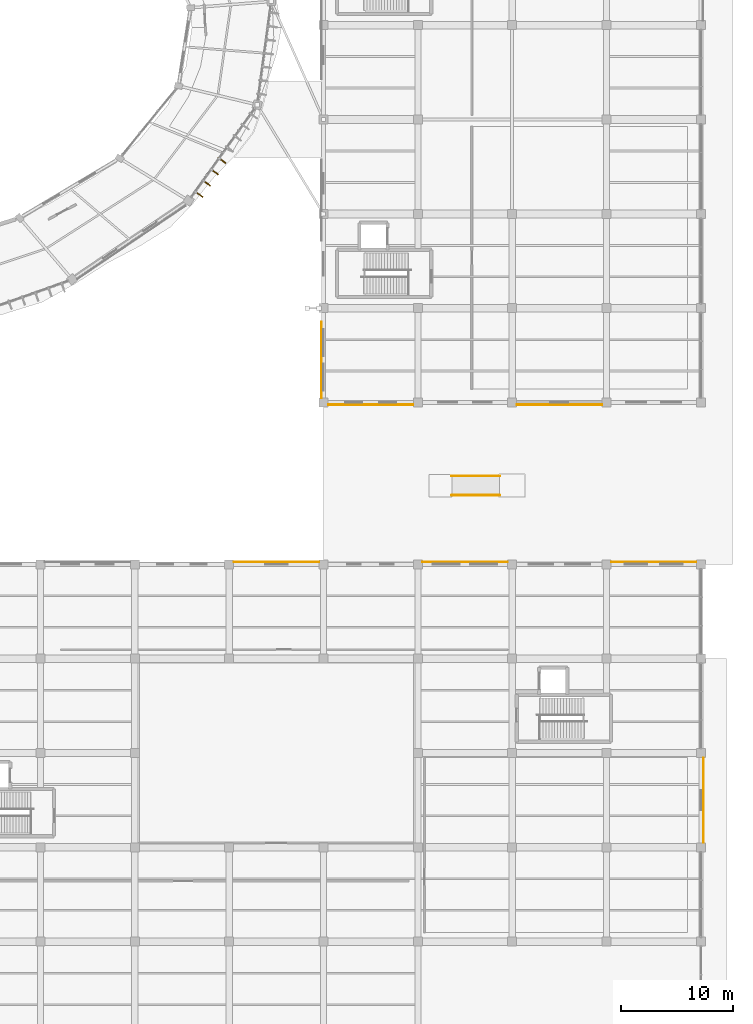
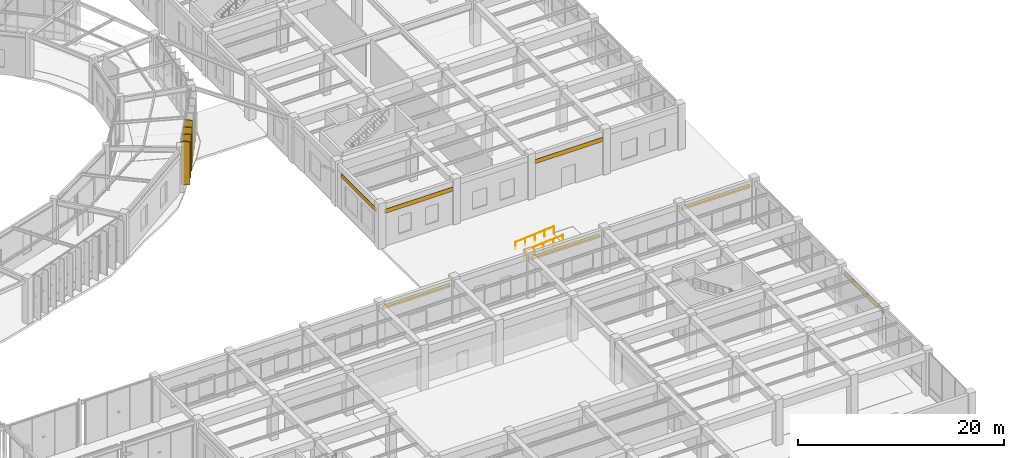
# One storey, part 154 of 157: 7 coverings, 4 shading devices, 2 railings.
"""IFC4 building model written with IfcOpenShell, lengths in metres."""

from ifc_helpers import new_model, si_unit, direction, frame, origin, origin_2d, place, context, subcontext, project, spatial, polyline, rectangle, circle, outline, extrude, material, layer, layer_set, type_object, element, save


model = new_model("IFC4")

# Units and contexts
model_context = context("Model", 3, precision=1e-05, world=origin(), true_north=direction((0.0, 1.0)))
body_context = subcontext(model_context, "Body", "Model", "MODEL_VIEW")
ifc_project = project(units=[si_unit("LENGTHUNIT", "METRE"), si_unit("AREAUNIT", "SQUARE_METRE"), si_unit("VOLUMEUNIT", "CUBIC_METRE"), si_unit("PLANEANGLEUNIT", "RADIAN"), si_unit("MASSUNIT", "GRAM", prefix="KILO"), si_unit("THERMODYNAMICTEMPERATUREUNIT", "KELVIN"), si_unit("POWERUNIT", "WATT")], contexts=[model_context])

# Site, building, storey
site_placement = place(None, origin())
site = spatial("IfcSite", under=ifc_project, at=site_placement, CompositionType="ELEMENT")
building_placement = place(site_placement, origin())
building = spatial("IfcBuilding", under=site, at=building_placement, Name="Darbajah Civic Hall", CompositionType="ELEMENT")
storey_placement = place(building_placement, origin())
storey = spatial("IfcBuildingStorey", under=building, at=storey_placement, Name="L00", CompositionType="ELEMENT", Elevation=0.0)

# Railings
ifc_material_1 = material(Name="Brushed Bronze Stainless Steel", Category="steel")
railing_type = type_object("IfcRailingType", Name="Exterior Ramp Handrail", PredefinedType="HANDRAIL", material=ifc_material_1)
for number, where, name in (
    (1, (156.0, 48.14990234375, -0.360107421875), "East Library Forecourt Accessible Ramp handrail A"),
    (2, (156.0, 49.85009765625, -0.360107421875), "East Library Forecourt Accessible Ramp handrail B"),
):
    element("IfcRailing", number, at=place(storey_placement, frame(where)), inside=storey, type_object=railing_type, Name=name, PredefinedType="HANDRAIL", context=body_context, shape_type="SweptSolid", body=[
        extrude(circle(Radius=0.02392578125, at=origin_2d()), frame((0.027099609375, 0.0, 0.898193359375), z_axis=(0.996543815979, 0.0, 0.083068783756), x_axis=(0.0, 1.0, 0.0)), (0.0, 0.0, 1.0), 4.280517578125),
        extrude(circle(Radius=0.02099609375, at=origin_2d()), origin(), (0.0, 0.0, 1.0), 0.867919921875),
        extrude(circle(Radius=0.02099609375, at=origin_2d()), frame((1.080078125, 0.0, 0.090087890625)), (0.0, 0.0, 1.0), 0.867919921875),
        extrude(circle(Radius=0.02099609375, at=origin_2d()), frame((2.16015625, 0.0, 0.18017578125)), (0.0, 0.0, 1.0), 0.867919921875),
        extrude(circle(Radius=0.02099609375, at=origin_2d()), frame((3.239990234375, 0.0, 0.27001953125)), (0.0, 0.0, 1.0), 0.867919921875),
        extrude(circle(Radius=0.02099609375, at=origin_2d()), frame((4.320068359375, 0.0, 0.360107421875)), (0.0, 0.0, 1.0), 0.867919921875),
    ])

# Coverings
ifc_material_2 = material(Name="Qatari Desert Limestone Ashlar", Category="masonry")
ifc_layer = layer(ifc_material_2, 0.044921875, Name="Qatari Desert Limestone Ashlar")
ifc_layer_set = layer_set([ifc_layer], Name="Qatari Desert Limestone Ashlar")
covering_type = type_object("IfcCoveringType", Name="Limestone Facade Cladding", PredefinedType="CLADDING", material=ifc_layer_set)
covering_1_placement = place(storey_placement, frame((0.0, 0.0, 3.949951171875)))
element("IfcCovering", 3, at=covering_1_placement, inside=storey, type_object=covering_type, Name="L00 stone frieze cladding EW-V3-L00-S1-B2", PredefinedType="CLADDING", context=body_context, shape_type="SweptSolid", body=[
    extrude(outline(polyline([(178.389892578125, 17.201904296875), (178.389892578125, 24.798095703125), (178.43505859375, 24.798095703125), (178.43505859375, 17.201904296875), (178.389892578125, 17.201904296875)])), origin(), (0.0, 0.0, 1.0), 0.5),
])
covering_2_placement = place(storey_placement, frame((0.0, 0.0, 3.949951171875)))
element("IfcCovering", 4, at=covering_2_placement, inside=storey, type_object=covering_type, Name="L00 stone frieze cladding EW-V3-L00-S2-B0", PredefinedType="CLADDING", context=body_context, shape_type="SweptSolid", body=[
    extrude(outline(polyline([(177.798095703125, 42.18994140625), (170.201904296875, 42.18994140625), (170.201904296875, 42.235107421875), (177.798095703125, 42.235107421875), (177.798095703125, 42.18994140625)])), origin(), (0.0, 0.0, 1.0), 0.5),
])
covering_3_placement = place(storey_placement, frame((0.0, 0.0, 3.949951171875)))
element("IfcCovering", 5, at=covering_3_placement, inside=storey, type_object=covering_type, Name="L00 stone frieze cladding EW-V3-L00-S2-B2", PredefinedType="CLADDING", context=body_context, shape_type="SweptSolid", body=[
    extrude(outline(polyline([(160.998046875, 42.18994140625), (153.402099609375, 42.18994140625), (153.402099609375, 42.235107421875), (160.998046875, 42.235107421875), (160.998046875, 42.18994140625)])), origin(), (0.0, 0.0, 1.0), 0.5),
])
covering_4_placement = place(storey_placement, frame((0.0, 0.0, 3.949951171875)))
element("IfcCovering", 6, at=covering_4_placement, inside=storey, type_object=covering_type, Name="L00 stone frieze cladding EW-V3-L00-S2-B4", PredefinedType="CLADDING", context=body_context, shape_type="SweptSolid", body=[
    extrude(outline(polyline([(144.197998046875, 42.18994140625), (136.60205078125, 42.18994140625), (136.60205078125, 42.235107421875), (144.197998046875, 42.235107421875), (144.197998046875, 42.18994140625)])), origin(), (0.0, 0.0, 1.0), 0.5),
])
covering_5_placement = place(storey_placement, frame((0.0, 0.0, 3.909912109375)))
element("IfcCovering", 7, at=covering_5_placement, inside=storey, type_object=covering_type, Name="L00 stone frieze cladding EW-V4-L00-S0-B0", PredefinedType="CLADDING", context=body_context, shape_type="SweptSolid", body=[
    extrude(outline(polyline([(145.001953125, 56.22998046875), (152.597900390625, 56.22998046875), (152.597900390625, 56.18505859375), (145.001953125, 56.18505859375), (145.001953125, 56.22998046875)])), origin(), (0.0, 0.0, 1.0), 0.5),
])
covering_6_placement = place(storey_placement, frame((0.0, 0.0, 3.909912109375)))
element("IfcCovering", 8, at=covering_6_placement, inside=storey, type_object=covering_type, Name="L00 stone frieze cladding EW-V4-L00-S0-B2", PredefinedType="CLADDING", context=body_context, shape_type="SweptSolid", body=[
    extrude(outline(polyline([(161.802001953125, 56.22998046875), (169.39794921875, 56.22998046875), (169.39794921875, 56.18505859375), (161.802001953125, 56.18505859375), (161.802001953125, 56.22998046875)])), origin(), (0.0, 0.0, 1.0), 0.5),
])
covering_7_placement = place(storey_placement, frame((0.0, 0.0, 3.909912109375)))
element("IfcCovering", 9, at=covering_7_placement, inside=storey, type_object=covering_type, Name="L00 stone frieze cladding EW-V4-L00-S4-B2", PredefinedType="CLADDING", context=body_context, shape_type="SweptSolid", body=[
    extrude(outline(polyline([(144.429931640625, 63.60009765625), (144.429931640625, 56.802001953125), (144.385009765625, 56.802001953125), (144.385009765625, 63.60009765625), (144.429931640625, 63.60009765625)])), origin(), (0.0, 0.0, 1.0), 0.5),
])

# Shading devices
ifc_material_3 = material(Name="Bronze Anodised Aluminium and Teak Composite", Category="aluminium")
shading_device_type = type_object("IfcShadingDeviceType", Name="Vertical Bronze Timber Shading Fin", PredefinedType="USERDEFINED", material=ifc_material_3)
for number, where, z_axis, x_axis, name in (
    (10, (133.50439453125, 74.939697265625, 0.0), (0.0, 0.0, 1.0), (0.812999149039, -0.582264874145, 0.0), "L00 vertical shading fin VF-18-1"),
    (11, (134.205810546875, 75.933837890625, 0.0), (0.0, 0.0, 1.0), (0.812999149039, -0.582264874145, 0.0), "L00 vertical shading fin VF-18-2"),
    (12, (134.883056640625, 76.945556640625, 0.0), (0.0, 0.0, 1.0), (0.812999149039, -0.582264874145, 0.0), "L00 vertical shading fin VF-18-3"),
    (13, (135.54443359375, 77.968505859375, 0.0), (0.0, 0.0, 1.0), (0.812999149039, -0.582264874145, 0.0), "L00 vertical shading fin VF-18-4"),
):
    element("IfcShadingDevice", number, at=place(storey_placement, frame(where, z_axis=z_axis, x_axis=x_axis)), inside=storey, type_object=shading_device_type, Name=name, ObjectType="VERTICAL FIN", PredefinedType="USERDEFINED", context=body_context, shape_type="SweptSolid", body=[
        extrude(rectangle(XDim=0.85009765625, YDim=0.090087890625, at=origin_2d()), origin(), (0.0, 0.0, 1.0), 5.1201171875),
    ])

save(model, "model.ifc")
